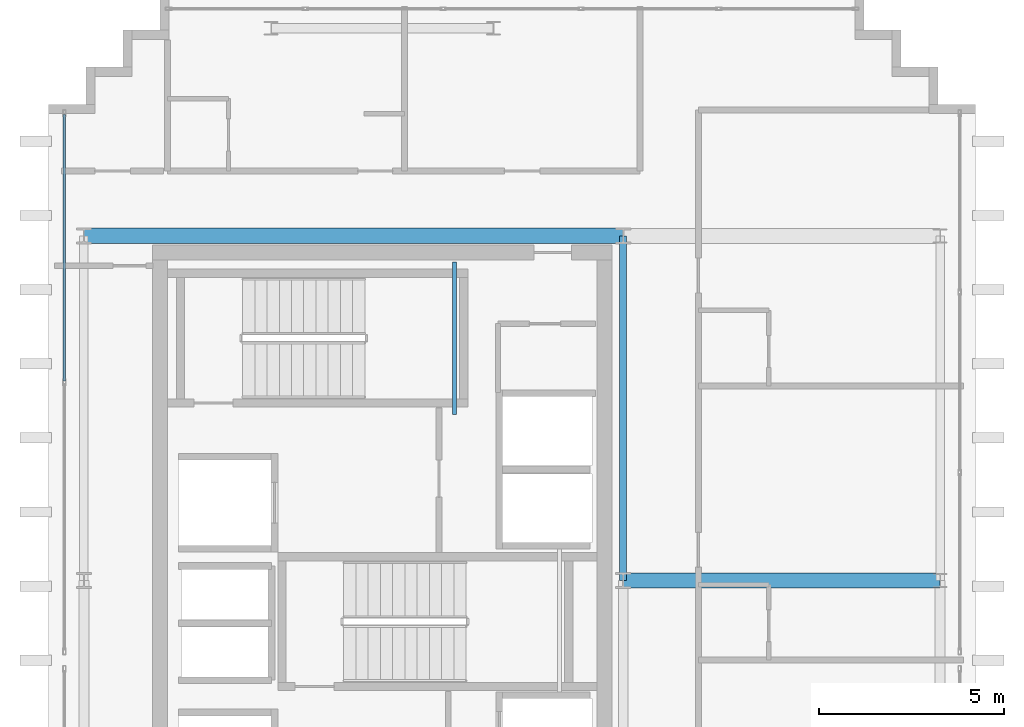
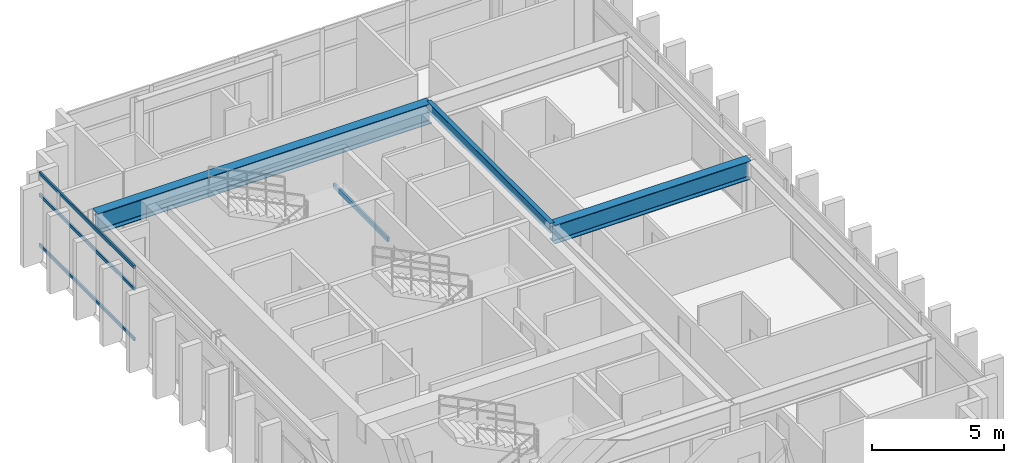
# One storey, part 7 of 15: 4 beams, 3 members, 1 element without a shape of its own.
"""IFC4 building model written with IfcOpenShell, lengths in metres."""

from ifc_helpers import new_model, si_unit, direction, frame, origin, origin_2d, place, context, subcontext, project, spatial, hollow_rectangle, i_section, extrude, source, transform, mapped, material, layer, layer_set, material_profile, profile_set, type_object, element, aggregate, save


model = new_model("IFC4")

# Units and contexts
model_context = context("Model", 3, precision=1e-05, world=origin(), true_north=direction((0.0, 1.0)))
body_context = subcontext(model_context, "Body", "Model", "MODEL_VIEW")
ifc_project = project(units=[si_unit("LENGTHUNIT", "METRE"), si_unit("AREAUNIT", "SQUARE_METRE"), si_unit("VOLUMEUNIT", "CUBIC_METRE"), si_unit("PLANEANGLEUNIT", "RADIAN"), si_unit("MASSUNIT", "GRAM", prefix="KILO")], contexts=[model_context])

# Site, building, storey
site_placement = place(None, origin())
site = spatial("IfcSite", under=ifc_project, at=site_placement, CompositionType="ELEMENT")
building_placement = place(site_placement, origin())
building = spatial("IfcBuilding", under=site, at=building_placement, Name="Ocotamira Hotel", CompositionType="ELEMENT")
storey_placement = place(building_placement, frame((0.0, 0.0, 290.39990234375)))
storey = spatial("IfcBuildingStorey", under=building, at=storey_placement, Name="L74", CompositionType="ELEMENT", Elevation=290.39990234375)

# Beams
ifc_material_1 = material(Name="Steel ASTM A500 Grade C", Category="steel")
ifc_material_profile_1 = material_profile(ifc_material_1, hollow_rectangle(XDim=0.10009765625, YDim=0.199951171875, WallThickness=0.008056640625, at=origin_2d()), Name="HSS200X100X8")
ifc_profile_set_1 = profile_set([ifc_material_profile_1], Name="Steel ASTM A500 Grade C")
beam_type_1 = type_object("IfcBeamType", Name="BM-STLDG-HSS200", PredefinedType="BEAM", material=ifc_profile_set_1)
shared_shape_1 = source(origin(), body_context, "Body", "SweptSolid", [
    extrude(hollow_rectangle(XDim=0.10009765625, YDim=0.199951171875, WallThickness=0.008056640625, at=origin_2d()), origin(), (0.0, 0.0, 1.0), 4.1201171875),
])
beam_1_placement = place(storey_placement, frame((18.949951171875, 32.6298828125, 1.5), z_axis=(0.0, 1.0, 0.0), x_axis=(-1.0, 0.0, 0.0)))
element("IfcBeam", 1, at=beam_1_placement, inside=storey, type_object=beam_type_1, Name="L74 Stair ST-2 Landing Bearer 1", PredefinedType="BEAM", context=body_context, shape_type="MappedRepresentation", body=[
    mapped(shared_shape_1, transform((0.0, 0.0, 0.0), scale=1.0)),
])
ifc_material_2 = material(Name="Steel ASTM A992 Grade 50", Category="steel")
ifc_material_profile_2 = material_profile(ifc_material_2, i_section(OverallWidth=0.41796875, OverallDepth=0.927001953125, WebThickness=0.019287109375, FlangeThickness=0.031982421875, FilletRadius=0.02392578125, at=origin_2d()), Name="W36X231")
ifc_profile_set_2 = profile_set([ifc_material_profile_2], Name="Steel ASTM A992 Grade 50")
beam_type_2 = type_object("IfcBeamType", Name="BM-GIRD-W36X231", PredefinedType="BEAM", material=ifc_profile_set_2)
shared_shape_2 = source(origin(), body_context, "Body", "SweptSolid", [
    extrude(i_section(OverallWidth=0.41796875, OverallDepth=0.927001953125, WebThickness=0.019287109375, FlangeThickness=0.031982421875, FilletRadius=0.02392578125, at=origin_2d()), origin(), (0.0, 0.0, 1.0), 14.550048828125),
])
beam_2_placement = place(storey_placement, frame((8.949951171875, 37.449951171875, 2.91650390625), z_axis=(1.0, 0.0, 0.0), x_axis=(0.0, 1.0, 0.0)))
element("IfcBeam", 2, at=beam_2_placement, inside=storey, type_object=beam_type_2, Name="L74 Girder Y37.45 X8.95-23.5", PredefinedType="BEAM", context=body_context, shape_type="MappedRepresentation", body=[
    mapped(shared_shape_2, transform((0.0, 0.0, 0.0), scale=1.0)),
])
ifc_material_profile_3 = material_profile(ifc_material_2, i_section(OverallWidth=0.18994140625, OverallDepth=0.45703125, WebThickness=0.009033203125, FlangeThickness=0.014404296875, FilletRadius=0.010009765625, at=origin_2d()), Name="W18X50")
ifc_profile_set_3 = profile_set([ifc_material_profile_3], Name="Steel ASTM A992 Grade 50")
beam_type_3 = type_object("IfcBeamType", Name="BM-SEC-W18X50", PredefinedType="JOIST", material=ifc_profile_set_3)
shared_shape_3 = source(origin(), body_context, "Body", "SweptSolid", [
    extrude(i_section(OverallWidth=0.18994140625, OverallDepth=0.45703125, WebThickness=0.009033203125, FlangeThickness=0.014404296875, FilletRadius=0.010009765625, at=origin_2d()), origin(), (0.0, 0.0, 1.0), 9.300048828125),
])
beam_3_placement = place(storey_placement, frame((23.5, 28.14990234375, 3.151611328125), z_axis=(0.0, 1.0, 0.0), x_axis=(-1.0, 0.0, 0.0)))
element("IfcBeam", 3, at=beam_3_placement, inside=storey, type_object=beam_type_3, Name="L74 Beam X23.5 Y28.15-37.45", PredefinedType="JOIST", context=body_context, shape_type="MappedRepresentation", body=[
    mapped(shared_shape_3, transform((0.0, 0.0, 0.0), scale=1.0)),
])
ifc_material_profile_4 = material_profile(ifc_material_2, i_section(OverallWidth=0.39990234375, OverallDepth=0.85595703125, WebThickness=0.018310546875, FlangeThickness=0.029296875, FilletRadius=0.02001953125, at=origin_2d()), Name="W33X201")
ifc_profile_set_4 = profile_set([ifc_material_profile_4], Name="Steel ASTM A992 Grade 50")
beam_type_4 = type_object("IfcBeamType", Name="BM-GIRD-W33X201", PredefinedType="BEAM", material=ifc_profile_set_4)
shared_shape_4 = source(origin(), body_context, "Body", "SweptSolid", [
    extrude(i_section(OverallWidth=0.39990234375, OverallDepth=0.85595703125, WebThickness=0.018310546875, FlangeThickness=0.029296875, FilletRadius=0.02001953125, at=origin_2d()), origin(), (0.0, 0.0, 1.0), 8.550048828125),
])
beam_4_placement = place(storey_placement, frame((23.5, 28.14990234375, 2.9521484375), z_axis=(1.0, 0.0, 0.0), x_axis=(0.0, 1.0, 0.0)))
element("IfcBeam", 4, at=beam_4_placement, inside=storey, type_object=beam_type_4, Name="L74 Girder Y28.15 X23.5-32.05", PredefinedType="BEAM", context=body_context, shape_type="MappedRepresentation", body=[
    mapped(shared_shape_4, transform((0.0, 0.0, 0.0), scale=1.0)),
])

# Curtain wall, members
ifc_material_3 = material(Name="Anodised pale-metal aluminium and solar glass", Category="aluminium")
ifc_layer = layer(ifc_material_3, 0.2099609375)
ifc_layer_set = layer_set([ifc_layer], Name="Anodised pale-metal aluminium and solar glass")
curtain_wall_type = type_object("IfcCurtainWallType", Name="CW-SYS7-PEAK", PredefinedType="NOTDEFINED", material=ifc_layer_set)
curtain_wall_placement = place(storey_placement, origin())
curtain_wall = element("IfcCurtainWall", 5, at=curtain_wall_placement, inside=storey, type_object=curtain_wall_type, Name="L74 Curtain Wall CW-7 CW-L74-W2", PredefinedType="NOTDEFINED")
ifc_material_4 = material(Name="Anodised pale-metal aluminium 6063-T6", Category="aluminium")
ifc_material_profile_5 = material_profile(ifc_material_4, hollow_rectangle(XDim=0.074951171875, YDim=0.14990234375, WallThickness=0.006103515625, at=origin_2d()), Name="HSS150X75X6")
ifc_profile_set_5 = profile_set([ifc_material_profile_5], Name="Anodised pale-metal aluminium 6063-T6")
member_type = type_object("IfcMemberType", Name="CWT-150X75", PredefinedType="USERDEFINED", material=ifc_profile_set_5)
shared_shape_5 = source(origin(), body_context, "Body", "SweptSolid", [
    extrude(hollow_rectangle(XDim=0.074951171875, YDim=0.14990234375, WallThickness=0.006103515625, at=origin_2d()), origin(), (0.0, 0.0, 1.0), 7.179931640625),
])
member_1_placement = place(storey_placement, frame((8.419921875, 33.5400390625, 0.03759765625), z_axis=(0.0, 1.0, 0.0), x_axis=(-1.0, 0.0, 0.0)))
member_1 = element("IfcMember", 6, at=member_1_placement, type_object=member_type, Name="CW-7 transom 2.1", ObjectType="TRANSOM", PredefinedType="USERDEFINED", context=body_context, shape_type="MappedRepresentation", body=[
    mapped(shared_shape_5, transform((0.0, 0.0, 0.0), scale=1.0)),
])
member_2_placement = place(storey_placement, frame((8.419921875, 33.5400390625, 2.35009765625), z_axis=(0.0, 1.0, 0.0), x_axis=(-1.0, 0.0, 0.0)))
member_2 = element("IfcMember", 7, at=member_2_placement, type_object=member_type, Name="CW-7 transom 2.2", ObjectType="TRANSOM", PredefinedType="USERDEFINED", context=body_context, shape_type="MappedRepresentation", body=[
    mapped(shared_shape_5, transform((0.0, 0.0, 0.0), scale=1.0)),
])
member_3_placement = place(storey_placement, frame((8.419921875, 33.5400390625, 3.342529296875), z_axis=(0.0, 1.0, 0.0), x_axis=(-1.0, 0.0, 0.0)))
member_3 = element("IfcMember", 8, at=member_3_placement, type_object=member_type, Name="CW-7 transom 2.3", ObjectType="TRANSOM", PredefinedType="USERDEFINED", context=body_context, shape_type="MappedRepresentation", body=[
    mapped(shared_shape_5, transform((0.0, 0.0, 0.0), scale=1.0)),
])
aggregate(curtain_wall, [member_1, member_2, member_3])

save(model, "model.ifc")
